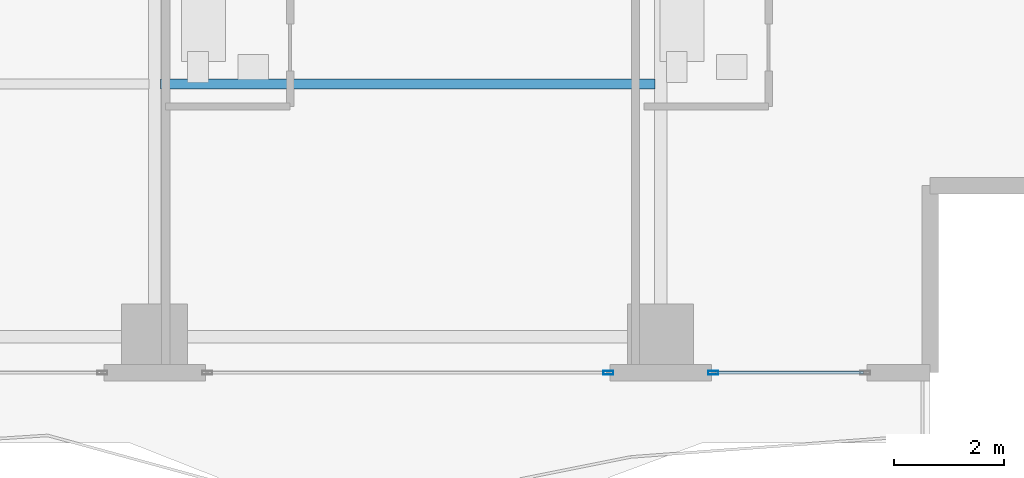
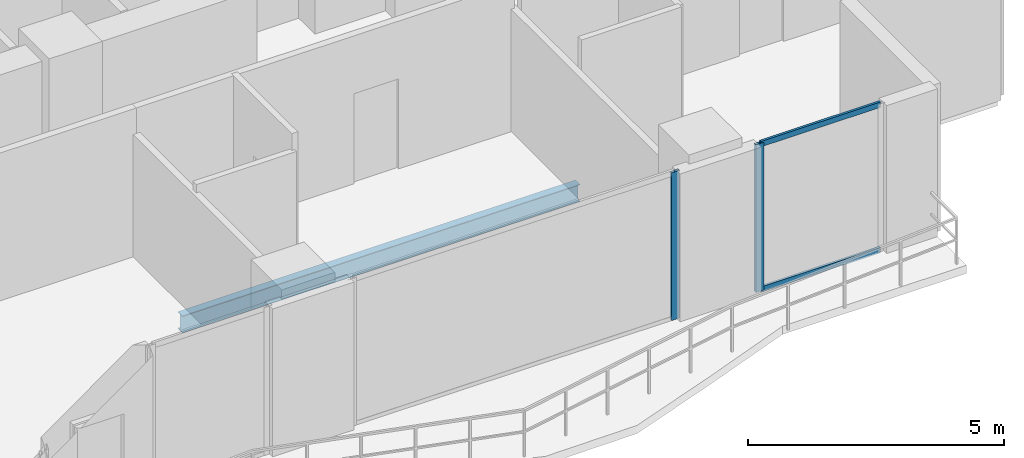
# One storey, part 9 of 32: 4 members, 1 beam, 2 elements without a shape of their own.
"""IFC4 building model written with IfcOpenShell, lengths in metres."""

from ifc_helpers import new_model, si_unit, direction, frame, origin, origin_2d, place, context, subcontext, project, spatial, hollow_rectangle, i_section, extrude, material, layer, layer_set, material_profile, profile_set, type_object, element, aggregate, save


model = new_model("IFC4")

# Units and contexts
model_context = context("Model", 3, precision=1e-05, world=origin(), true_north=direction((0.0, 1.0)))
body_context = subcontext(model_context, "Body", "Model", "MODEL_VIEW")
ifc_project = project(units=[si_unit("LENGTHUNIT", "METRE"), si_unit("AREAUNIT", "SQUARE_METRE"), si_unit("VOLUMEUNIT", "CUBIC_METRE"), si_unit("PLANEANGLEUNIT", "RADIAN"), si_unit("MASSUNIT", "GRAM", prefix="KILO")], contexts=[model_context])

# Site, building, storey
site_placement = place(None, origin())
site = spatial("IfcSite", under=ifc_project, at=site_placement, CompositionType="ELEMENT")
building_placement = place(site_placement, origin())
building = spatial("IfcBuilding", under=site, at=building_placement, Name="Zuhayl Quay Hotel", CompositionType="ELEMENT")
storey_placement = place(building_placement, frame((0.0, 0.0, 181.14990234375)))
storey = spatial("IfcBuildingStorey", under=building, at=storey_placement, Name="L45", CompositionType="ELEMENT", Elevation=181.14990234375)

# Beam
ifc_material_1 = material(Name="Steel ASTM A992 Grade 50", Category="steel")
ifc_material_profile_1 = material_profile(ifc_material_1, i_section(OverallWidth=0.177978515625, OverallDepth=0.406005859375, WebThickness=0.0078125, FlangeThickness=0.0126953125, at=origin_2d()), Name="W16X40")
ifc_profile_set_1 = profile_set([ifc_material_profile_1], Name="Steel ASTM A992 Grade 50")
beam_type = type_object("IfcBeamType", Name="BM_J2B_W16X40", PredefinedType="JOIST", material=ifc_profile_set_1)
beam_placement = place(storey_placement, frame((4.7060546875, -2.35009765625, -0.4228515625), z_axis=(1.0, 0.0, 0.0), x_axis=(0.0, 1.0, 0.0)))
element("IfcBeam", 1, at=beam_placement, inside=storey, type_object=beam_type, Name="L45 Floor Beam FJ_L45_7_3", PredefinedType="JOIST", context=body_context, shape_type="SweptSolid", body=[
    extrude(i_section(OverallWidth=0.177978515625, OverallDepth=0.406005859375, WebThickness=0.0078125, FlangeThickness=0.0126953125, at=origin_2d()), origin(), (0.0, 0.0, 1.0), 8.988037109375),
])

# Curtain wall, member
ifc_material_2 = material(Name="Anodised Aluminium 6063-T6", Category="aluminium")
ifc_layer = layer(ifc_material_2, 0.175048828125, Name="Anodised Aluminium 6063-T6", Category="aluminium")
ifc_layer_set = layer_set([ifc_layer], Name="Anodised Aluminium 6063-T6")
curtain_wall_type = type_object("IfcCurtainWallType", Name="CW_SYS_Z3", PredefinedType="USERDEFINED", material=ifc_layer_set)
curtain_wall_1_placement = place(storey_placement, origin())
curtain_wall_1 = element("IfcCurtainWall", 2, at=curtain_wall_1_placement, inside=storey, type_object=curtain_wall_type, Name="L45 Curtain Wall ENV_L45_S_CW1", ObjectType="UNITISED CURTAIN WALL", PredefinedType="USERDEFINED")
ifc_material_3 = material(Name="Black-anodised aluminium 6063-T6", Category="aluminium")
ifc_material_profile_2 = material_profile(ifc_material_3, hollow_rectangle(XDim=0.06494140625, YDim=0.179931640625, WallThickness=0.00341796875, at=origin_2d()), Name="ALU180X65")
ifc_profile_set_2 = profile_set([ifc_material_profile_2], Name="Black-anodised aluminium 6063-T6")
member_type_1 = type_object("IfcMemberType", Name="MB_CW_MUL_180", PredefinedType="MULLION", material=ifc_profile_set_2)
member_1_placement = place(storey_placement, frame((14.75244140625, -7.60009765625, 0.0), z_axis=(0.0, 0.0, 1.0), x_axis=(0.0, -1.0, 0.0)))
member_1 = element("IfcMember", 3, at=member_1_placement, type_object=member_type_1, Name="CW-Z3 mullion 2", PredefinedType="MULLION", context=body_context, shape_type="SweptSolid", body=[
    extrude(hollow_rectangle(XDim=0.06494140625, YDim=0.179931640625, WallThickness=0.00341796875, at=origin_2d()), origin(), (0.0, 0.0, 1.0), 3.530029296875),
])

curtain_wall_2_placement = place(storey_placement, origin())
curtain_wall_2 = element("IfcCurtainWall", 4, at=curtain_wall_2_placement, inside=storey, type_object=curtain_wall_type, Name="L45 Curtain Wall ENV_L45_S_CW2", ObjectType="UNITISED CURTAIN WALL", PredefinedType="USERDEFINED")
member_2_placement = place(storey_placement, frame((12.847412109375, -7.60009765625, 0.0), z_axis=(0.0, 0.0, 1.0), x_axis=(0.0, -1.0, 0.0)))
member_2 = element("IfcMember", 5, at=member_2_placement, type_object=member_type_1, Name="CW-Z3 mullion 1", PredefinedType="MULLION", context=body_context, shape_type="SweptSolid", body=[
    extrude(hollow_rectangle(XDim=0.06494140625, YDim=0.179931640625, WallThickness=0.00341796875, at=origin_2d()), origin(), (0.0, 0.0, 1.0), 3.530029296875),
])
aggregate(curtain_wall_2, [member_2])

# Member
ifc_material_profile_3 = material_profile(ifc_material_3, hollow_rectangle(XDim=0.054931640625, YDim=0.1298828125, WallThickness=0.0029296875, at=origin_2d()), Name="ALU130X55")
ifc_profile_set_3 = profile_set([ifc_material_profile_3], Name="Black-anodised aluminium 6063-T6")
member_type_2 = type_object("IfcMemberType", Name="MB_CW_TRN_130", PredefinedType="USERDEFINED", material=ifc_profile_set_3)
member_3_placement = place(storey_placement, frame((17.485107421875, -7.60009765625, 0.027587890625), z_axis=(-1.0, 0.0, 0.0), x_axis=(0.0, -1.0, 0.0)))
member_3 = element("IfcMember", 6, at=member_3_placement, type_object=member_type_2, Name="CW-Z3 transom 1.1", ObjectType="TRANSOM", PredefinedType="USERDEFINED", context=body_context, shape_type="SweptSolid", body=[
    extrude(hollow_rectangle(XDim=0.054931640625, YDim=0.1298828125, WallThickness=0.0029296875, at=origin_2d()), origin(), (0.0, 0.0, 1.0), 2.7001953125),
])

member_4_placement = place(storey_placement, frame((17.485107421875, -7.60009765625, 3.502685546875), z_axis=(-1.0, 0.0, 0.0), x_axis=(0.0, -1.0, 0.0)))
member_4 = element("IfcMember", 7, at=member_4_placement, type_object=member_type_2, Name="CW-Z3 transom 1.2", ObjectType="TRANSOM", PredefinedType="USERDEFINED", context=body_context, shape_type="SweptSolid", body=[
    extrude(hollow_rectangle(XDim=0.054931640625, YDim=0.1298828125, WallThickness=0.0029296875, at=origin_2d()), origin(), (0.0, 0.0, 1.0), 2.7001953125),
])

aggregate(curtain_wall_1, [member_1, member_3, member_4])

save(model, "model.ifc")
